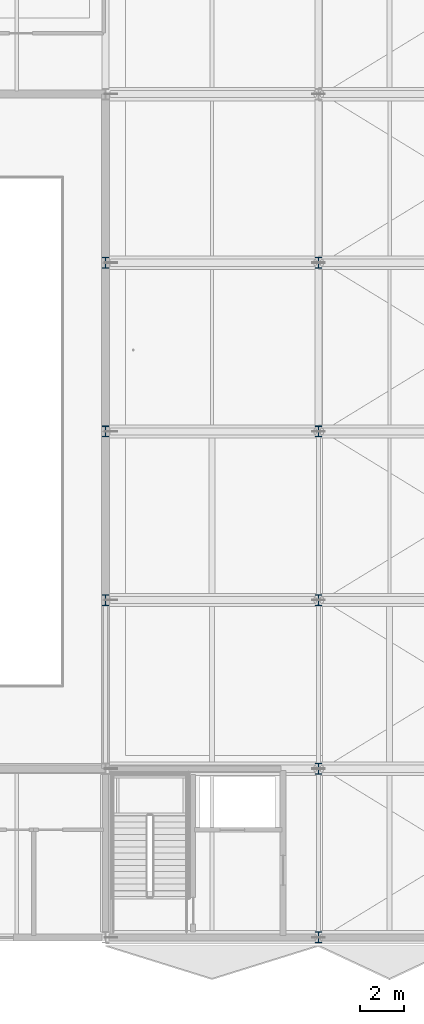
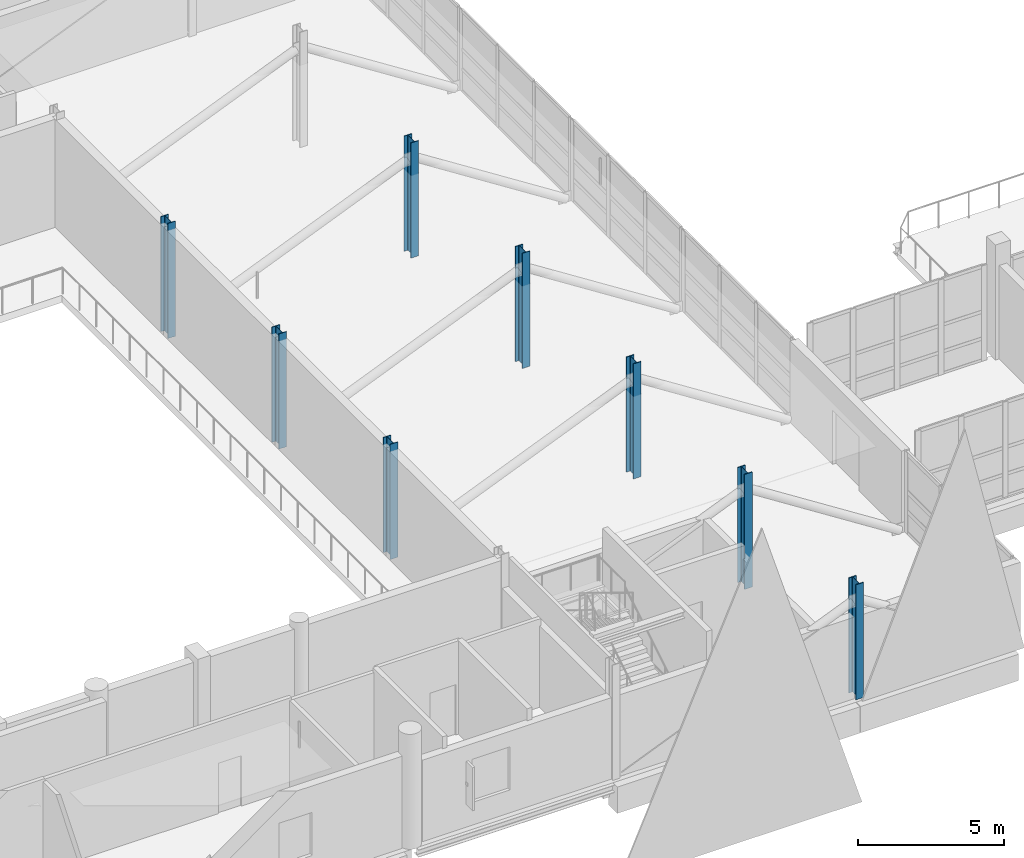
# One storey, part 2 of 147: 8 columns.
"""IFC4 building model written with IfcOpenShell, lengths in metres."""

import ifcopenshell
import ifcopenshell.guid

model = None  # the IFC model being written
_history = None  # IfcOwnerHistory: only IFC2X3 demands one
_inside = {}  # id of a spatial element -> (the spatial element, [elements in it])
_under = {}  # id of a project, library or spatial element -> (it, [spatial elements below it])
_declared = {}  # id of a project -> (the project, [libraries it declares])
_typed = {}  # id of a type object -> (the type object, [elements of that type])
_made_of = {}  # id of a material, layer set ... -> (it, [elements and type objects made of it])


def new_model(schema):
    """Start an empty IFC model of exactly this schema.

    Asked for "IFC4X3", IfcOpenShell would pick the latest addendum, in which some entities
    have other attributes; the version numbers below select the first issue.
    IFC2X3 requires an IfcOwnerHistory on every rooted entity: one is made here for all.
    """
    global model, _history
    if schema == "IFC4X3":
        model = ifcopenshell.file(schema_version=(4, 3, 0, 0))
    else:
        model = ifcopenshell.file(schema=schema)
    _inside.clear()
    _under.clear()
    _declared.clear()
    _typed.clear()
    _made_of.clear()
    _history = None
    if model.schema == "IFC2X3":
        org = make("IfcOrganization", Name="unknown")
        user = make(
            "IfcPersonAndOrganization",
            ThePerson=make("IfcPerson", FamilyName="unknown"),
            TheOrganization=org,
        )
        app = make(
            "IfcApplication",
            ApplicationDeveloper=org,
            Version="unknown",
            ApplicationFullName="unknown",
            ApplicationIdentifier="unknown",
        )
        _history = make(
            "IfcOwnerHistory",
            OwningUser=user,
            OwningApplication=app,
            ChangeAction="ADDED",
            CreationDate=0,
        )
    return model


def make(cls, **values):
    """One entity of the class cls with the attributes given. An attribute that is None is left unset."""
    return model.create_entity(
        cls, **{name: value for name, value in values.items() if value is not None}
    )


def rooted(cls, **values):
    """An entity with a GlobalId (a new one), such as an element, a storey or a relation."""
    return make(cls, GlobalId=ifcopenshell.guid.new(), OwnerHistory=_history, **values)


def si_unit(unit_type, name, prefix=None):
    """IfcSIUnit, for example si_unit("LENGTHUNIT", "METRE", prefix="MILLI")."""
    return make("IfcSIUnit", UnitType=unit_type, Prefix=prefix, Name=name)


def assignment(units):
    """IfcUnitAssignment: the units of a project."""
    return None if units is None else make("IfcUnitAssignment", Units=units)


def point(xyz):
    """IfcCartesianPoint."""
    return None if xyz is None else make("IfcCartesianPoint", Coordinates=xyz)


def direction(xyz):
    """IfcDirection."""
    return None if xyz is None else make("IfcDirection", DirectionRatios=xyz)


def frame(location, z_axis=None, x_axis=None):
    """IfcAxis2Placement3D, a coordinate frame: its origin and axes. An axis left out is left unset."""
    return make(
        "IfcAxis2Placement3D",
        Location=point(location),
        Axis=direction(z_axis),
        RefDirection=direction(x_axis),
    )


def frame_2d(location, x_axis=None):
    """IfcAxis2Placement2D, a coordinate frame in the plane: its origin and x axis."""
    return make(
        "IfcAxis2Placement2D", Location=point(location), RefDirection=direction(x_axis)
    )


def origin():
    """The frame at (0, 0, 0) with its axes left unset."""
    return frame((0.0, 0.0, 0.0))


def origin_2d():
    """The frame at (0, 0) in the plane with its x axis left unset."""
    return frame_2d((0.0, 0.0))


def place(relative_to, where):
    """IfcLocalPlacement: puts the frame where relative to a parent placement (None: the world)."""
    return make(
        "IfcLocalPlacement", PlacementRelTo=relative_to, RelativePlacement=where
    )


def context(
    kind, dimensions, precision=None, world=None, true_north=None, identifier=None
):
    """IfcGeometricRepresentationContext, for example the 3D "Model" context."""
    return make(
        "IfcGeometricRepresentationContext",
        ContextIdentifier=identifier,
        ContextType=kind,
        CoordinateSpaceDimension=dimensions,
        Precision=precision,
        WorldCoordinateSystem=world,
        TrueNorth=true_north,
    )


def subcontext(parent, identifier, kind, view, scale=None):
    """IfcGeometricRepresentationSubContext, for example "Body" below "Model"."""
    return make(
        "IfcGeometricRepresentationSubContext",
        ContextIdentifier=identifier,
        ContextType=kind,
        ParentContext=parent,
        TargetScale=scale,
        TargetView=view,
    )


def project(units=None, contexts=None):
    """IfcProject with its units and contexts."""
    return rooted(
        "IfcProject",
        Name="project",
        RepresentationContexts=contexts,
        UnitsInContext=assignment(units),
    )


def spatial(cls, under=None, at=None, **own):
    """A site, building, storey or space (cls), placed at a placement, below another one or the project."""
    s = rooted(cls, ObjectPlacement=at, **own)
    if under is not None:
        _under.setdefault(under.id(), (under, []))[1].append(s)
    return s


def profile(cls, at=None, kind="AREA", **sizes):
    """A parametric profile (cls). Its sizes go by their IFC names, for example OverallWidth=200.0."""
    return make(cls, ProfileType=kind, Position=at, **sizes)


def i_section(**sizes):
    """IfcIShapeProfileDef."""
    return profile("IfcIShapeProfileDef", **sizes)


def extrude(swept, where, along, depth):
    """IfcExtrudedAreaSolid: the profile swept, set in the frame where, extruded along a direction by depth."""
    return make(
        "IfcExtrudedAreaSolid",
        SweptArea=swept,
        Position=where,
        ExtrudedDirection=direction(along),
        Depth=depth,
    )


def shape(context_of_items, identifier, shape_type, items):
    """IfcShapeRepresentation: the items that make up one representation, for example the "Body"."""
    return make(
        "IfcShapeRepresentation",
        ContextOfItems=context_of_items,
        RepresentationIdentifier=identifier,
        RepresentationType=shape_type,
        Items=items,
    )


def material(Name=None, Category=None):
    """IfcMaterial."""
    return make("IfcMaterial", Name=Name, Category=Category)


def material_profile(
    of_material, cross_section, Name=None, Category=None, Priority=None
):
    """IfcMaterialProfile: a cross section and its material."""
    return make(
        "IfcMaterialProfile",
        Name=Name,
        Material=of_material,
        Profile=cross_section,
        Priority=Priority,
        Category=Category,
    )


def profile_set(profiles, Name=None, composite=None):
    """IfcMaterialProfileSet."""
    return make(
        "IfcMaterialProfileSet",
        Name=Name,
        MaterialProfiles=profiles,
        CompositeProfile=composite,
    )


def made_of(thing, what):
    """Note that an element or type object is made of a material, layer set ...; save() writes the relation."""
    if what is not None:
        _made_of.setdefault(what.id(), (what, []))[1].append(thing)
    return thing


def type_object(cls, material=None, **own):
    """A type object (cls), such as IfcWallType, which elements share."""
    return made_of(rooted(cls, **own), material)


def element(
    cls,
    number,
    at=None,
    inside=None,
    cuts=None,
    type_object=None,
    material=None,
    context=None,
    identifier="Body",
    shape_type=None,
    held_by="IfcProductDefinitionShape",
    body=None,
    shapes=None,
    **own,
):
    """One element of the class cls, such as IfcWall. Its Tag is "e" and its number.

    at: its placement. inside: the storey or other place that contains it. cuts: it is an
    opening in that element (IfcRelVoidsElement). A single representation is given by context,
    identifier, shape_type and body (its items); several are given by shapes. held_by: the class
    of the entity that holds the representations. save() writes the other relations.
    """
    e = rooted(cls, Tag="e%d" % number, ObjectPlacement=at, **own)
    if body is not None:
        shapes = [shape(context, identifier, shape_type, body)]
    if shapes is not None:
        e.Representation = make(held_by, Representations=shapes)
    if inside is not None:
        _inside.setdefault(inside.id(), (inside, []))[1].append(e)
    if cuts is not None:
        rooted(
            "IfcRelVoidsElement", RelatingBuildingElement=cuts, RelatedOpeningElement=e
        )
    if type_object is not None:
        _typed.setdefault(type_object.id(), (type_object, []))[1].append(e)
    return made_of(e, material)


def aggregate(whole, parts):
    """IfcRelAggregates: a whole, such as a stair, and the parts it consists of."""
    return rooted("IfcRelAggregates", RelatingObject=whole, RelatedObjects=parts)


def save(model, path):
    """Write the relations noted so far, then the file.

    IfcRelAggregates (storeys below a building ...), IfcRelContainedInSpatialStructure (elements
    in a storey), IfcRelDefinesByType, IfcRelAssociatesMaterial and IfcRelDeclares: one each for
    every whole, place, type object, material and project.
    """
    for whole, parts in _under.values():
        aggregate(whole, parts)
    for where, things in _inside.values():
        rooted(
            "IfcRelContainedInSpatialStructure",
            RelatedElements=things,
            RelatingStructure=where,
        )
    for kind, things in _typed.values():
        rooted("IfcRelDefinesByType", RelatedObjects=things, RelatingType=kind)
    for what, things in _made_of.values():
        rooted("IfcRelAssociatesMaterial", RelatedObjects=things, RelatingMaterial=what)
    for by, libraries in _declared.values():
        rooted("IfcRelDeclares", RelatingContext=by, RelatedDefinitions=libraries)
    model.write(path)


model = new_model("IFC4")

# Units and contexts
model_context = context("Model", 3, precision=1e-05, world=origin(), true_north=direction((0.0, 1.0)))
body_context = subcontext(model_context, "Body", "Model", "MODEL_VIEW")
ifc_project = project(units=[si_unit("LENGTHUNIT", "METRE"), si_unit("AREAUNIT", "SQUARE_METRE"), si_unit("VOLUMEUNIT", "CUBIC_METRE"), si_unit("PLANEANGLEUNIT", "RADIAN"), si_unit("MASSUNIT", "GRAM", prefix="KILO")], contexts=[model_context])

# Site, building, storey
site_placement = place(None, origin())
site = spatial("IfcSite", under=ifc_project, at=site_placement, CompositionType="ELEMENT")
building_placement = place(site_placement, origin())
building = spatial("IfcBuilding", under=site, at=building_placement, Name="Khelvaren Railside Concert Hall", CompositionType="ELEMENT")
storey_placement = place(building_placement, frame((0.0, 0.0, 5.39990234375)))
storey = spatial("IfcBuildingStorey", under=building, at=storey_placement, Name="L01", CompositionType="ELEMENT", Elevation=5.39990234375)

# Columns
ifc_material = material(Name="Steel S355", Category="steel")
ifc_material_profile_1 = material_profile(ifc_material, i_section(OverallWidth=0.300048828125, OverallDepth=0.5, WebThickness=0.014404296875, FlangeThickness=0.028076171875, FilletRadius=0.027099609375, at=origin_2d()), Name="HEB 500")
ifc_profile_set_1 = profile_set([ifc_material_profile_1], Name="Steel S355")
column_type_1 = type_object("IfcColumnType", Name="COL15", PredefinedType="COLUMN", material=ifc_profile_set_1)
column_placement = place(storey_placement, frame((49.60009765625, 0.0, 0.0), z_axis=(0.0, 0.0, 1.0), x_axis=(1.0, 0.0, 0.0)))
element("IfcColumn", 1, at=column_placement, inside=storey, type_object=column_type_1, Name="V1 L01 Column (49.6,0.0)", PredefinedType="COLUMN", context=body_context, shape_type="SweptSolid", body=[
    extrude(i_section(OverallWidth=0.300048828125, OverallDepth=0.5, WebThickness=0.014404296875, FlangeThickness=0.028076171875, FilletRadius=0.027099609375, at=origin_2d()), origin(), (0.0, 0.0, 1.0), 4.800048828125),
])
ifc_material_profile_2 = material_profile(ifc_material, i_section(OverallWidth=0.300048828125, OverallDepth=0.5, WebThickness=0.014404296875, FlangeThickness=0.028076171875, FilletRadius=0.027099609375, at=origin_2d()), Name="HEB 500")
ifc_profile_set_2 = profile_set([ifc_material_profile_2], Name="Steel S355")
column_type_2 = type_object("IfcColumnType", Name="COL25", PredefinedType="COLUMN", material=ifc_profile_set_2)
for number, where, z_axis, x_axis, name in (
    (2, (40.0, 15.199951171875, 0.0), (0.0, 0.0, 1.0), (1.0, 0.0, 0.0), "V1 L01 Column (40.0,15.2)"),
    (3, (40.0, 22.800048828125, 0.0), (0.0, 0.0, 1.0), (1.0, 0.0, 0.0), "V1 L01 Column (40.0,22.8)"),
    (4, (40.0, 30.39990234375, 0.0), (0.0, 0.0, 1.0), (1.0, 0.0, 0.0), "V1 L01 Column (40.0,30.4)"),
    (5, (49.60009765625, 7.60009765625, 0.0), (0.0, 0.0, 1.0), (1.0, 0.0, 0.0), "V1 L01 Column (49.6,7.6)"),
    (6, (49.60009765625, 15.199951171875, 0.0), (0.0, 0.0, 1.0), (1.0, 0.0, 0.0), "V1 L01 Column (49.6,15.2)"),
    (7, (49.60009765625, 22.800048828125, 0.0), (0.0, 0.0, 1.0), (1.0, 0.0, 0.0), "V1 L01 Column (49.6,22.8)"),
    (8, (49.60009765625, 30.39990234375, 0.0), (0.0, 0.0, 1.0), (1.0, 0.0, 0.0), "V1 L01 Column (49.6,30.4)"),
):
    element("IfcColumn", number, at=place(storey_placement, frame(where, z_axis=z_axis, x_axis=x_axis)), inside=storey, type_object=column_type_2, Name=name, PredefinedType="COLUMN", context=body_context, shape_type="SweptSolid", body=[
        extrude(i_section(OverallWidth=0.300048828125, OverallDepth=0.5, WebThickness=0.014404296875, FlangeThickness=0.028076171875, FilletRadius=0.027099609375, at=origin_2d()), origin(), (0.0, 0.0, 1.0), 4.800048828125),
    ])

save(model, "model.ifc")
